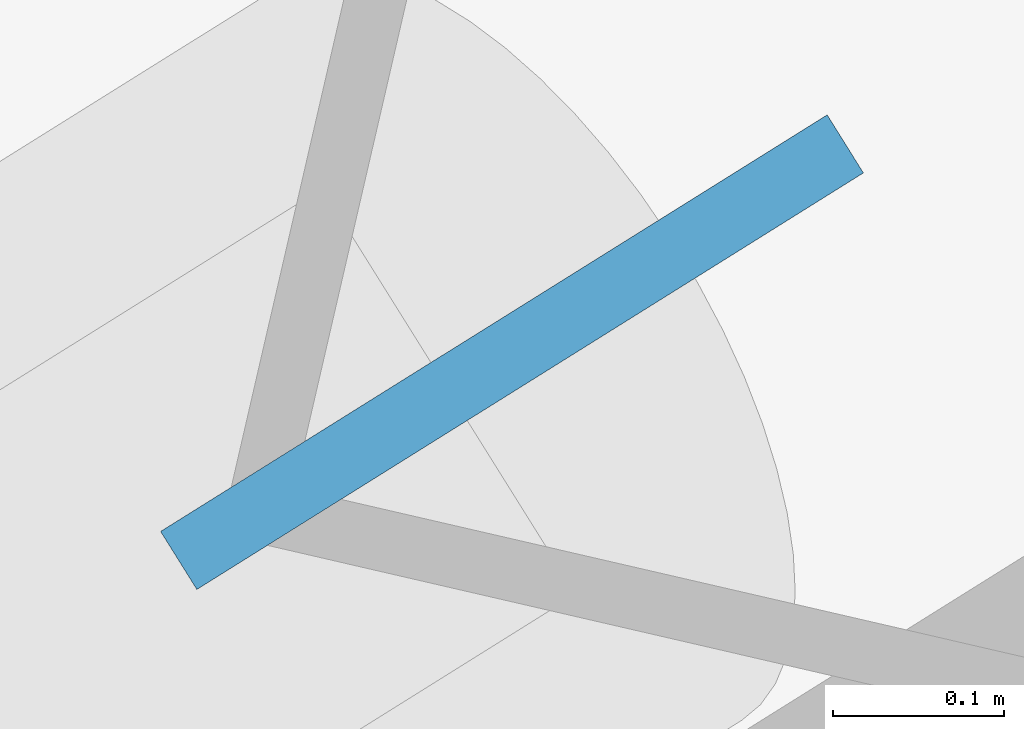
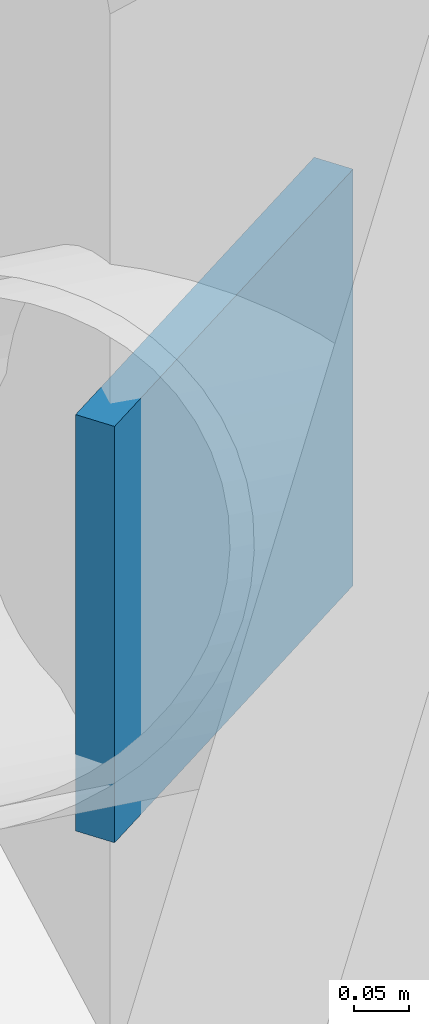
# One storey, part 16 of 20: 1 discrete accessory.
"""IFC4 building model written with IfcOpenShell, lengths in metres."""

from ifc_helpers import new_model, si_unit, direction, frame, origin, origin_2d, place, context, subcontext, project, spatial, rectangle, extrude, material, type_object, element, save


model = new_model("IFC4")

# Units and contexts
model_context = context("Model", 3, precision=1e-05, world=origin(), true_north=direction((0.0, 1.0)))
body_context = subcontext(model_context, "Body", "Model", "MODEL_VIEW")
ifc_project = project(units=[si_unit("LENGTHUNIT", "METRE"), si_unit("AREAUNIT", "SQUARE_METRE"), si_unit("VOLUMEUNIT", "CUBIC_METRE"), si_unit("PLANEANGLEUNIT", "RADIAN"), si_unit("MASSUNIT", "GRAM", prefix="KILO")], contexts=[model_context])

# Site, building, storey
site_placement = place(None, origin())
site = spatial("IfcSite", under=ifc_project, at=site_placement, CompositionType="ELEMENT")
building_placement = place(site_placement, origin())
building = spatial("IfcBuilding", under=site, at=building_placement, Name="Tavrogorsk Clinical Tower", CompositionType="ELEMENT")
storey_placement = place(building_placement, frame((0.0, 0.0, 23.39990234375)))
storey = spatial("IfcBuildingStorey", under=building, at=storey_placement, Name="L04", CompositionType="ELEMENT", Elevation=23.39990234375)

# Discrete accessory
ifc_material = material(Name="Structural steel S440", Category="steel")
discrete_accessory_type = type_object("IfcDiscreteAccessoryType", Name="GussetPlateBracket_25", PredefinedType="BRACKET", material=ifc_material)
discrete_accessory_placement = place(storey_placement, frame((-30.348876953125, 29.96337890625, 0.25341796875), z_axis=(0.0, 0.0, 1.0), x_axis=(-0.848048096156, -0.529919264233, 0.0)))
element("IfcDiscreteAccessory", 1, at=discrete_accessory_placement, inside=storey, type_object=discrete_accessory_type, Name="L04 Brace Gusset Plate EXOCRN-L04-3-A", PredefinedType="BRACKET", context=body_context, shape_type="SweptSolid", body=[
    extrude(rectangle(XDim=0.4599609375, YDim=0.0400390625, at=origin_2d()), origin(), (0.0, 0.0, 1.0), 0.4599609375),
])

save(model, "model.ifc")
